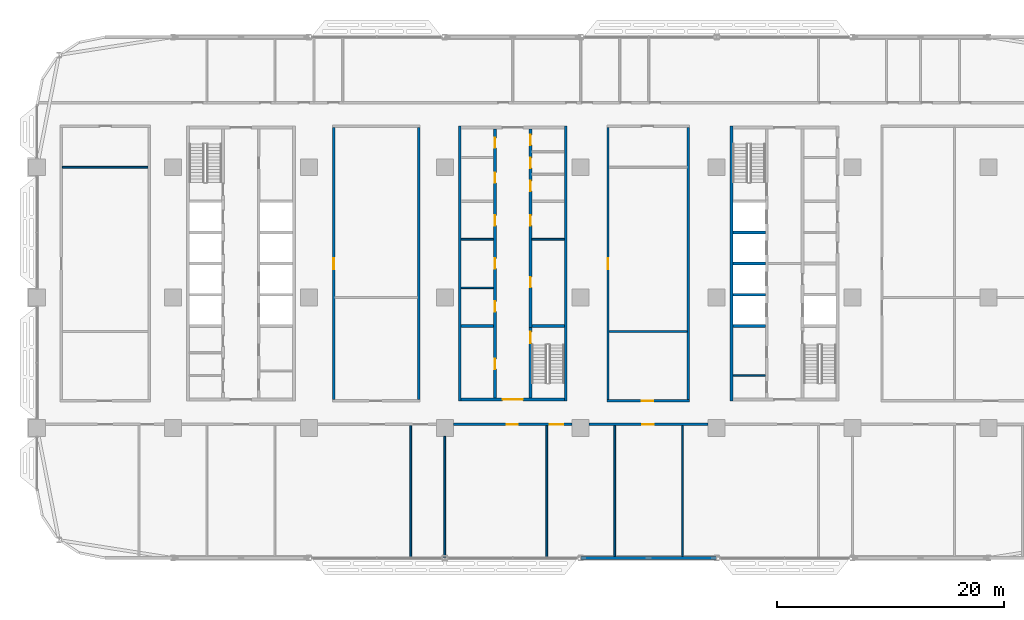
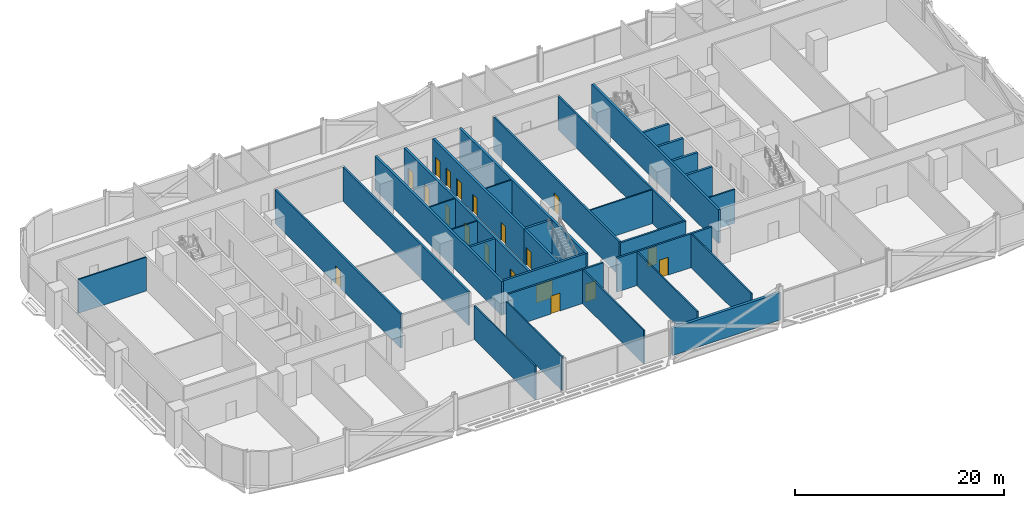
# One storey, part 13 of 29: 32 walls, 19 doors, 19 openings.
"""IFC4 building model written with IfcOpenShell, lengths in metres."""

from ifc_helpers import new_model, si_unit, direction, frame, frame_2d, origin, place, context, subcontext, project, spatial, rectangle, extrude, material, layer, layer_set, type_object, element, fill, save


model = new_model("IFC4")

# Units and contexts
model_context = context("Model", 3, precision=1e-05, world=origin(), true_north=direction((0.0, 1.0)))
body_context = subcontext(model_context, "Body", "Model", "MODEL_VIEW")
ifc_project = project(units=[si_unit("LENGTHUNIT", "METRE"), si_unit("AREAUNIT", "SQUARE_METRE"), si_unit("VOLUMEUNIT", "CUBIC_METRE"), si_unit("PLANEANGLEUNIT", "RADIAN"), si_unit("MASSUNIT", "GRAM", prefix="KILO")], contexts=[model_context])

# Site, building, storey
site_placement = place(None, origin())
site = spatial("IfcSite", under=ifc_project, at=site_placement, CompositionType="ELEMENT")
building_placement = place(site_placement, origin())
building = spatial("IfcBuilding", under=site, at=building_placement, Name="Mahtab Terrace Research Tower", CompositionType="ELEMENT")
storey_placement = place(building_placement, frame((0.0, 0.0, 71.800048828125)))
storey = spatial("IfcBuildingStorey", under=building, at=storey_placement, Name="L16", CompositionType="ELEMENT", Elevation=71.800048828125)

# Walls
ifc_material_1 = material(Name="Gypsum board partition")
ifc_layer_1 = layer(ifc_material_1, 0.14990234375)
ifc_layer_set_1 = layer_set([ifc_layer_1], Name="Core partition 150")
wall_type_1 = type_object("IfcWallType", Name="Core partition 150", PredefinedType="PARTITIONING", material=ifc_layer_set_1)
for number, where, z_axis, x_axis, name in (
    (1, (-4.550048828125, 0.85009765625, 0.0), (0.0, 0.0, 1.0), (1.0, 0.0, 0.0), "Core wall B pWL-215"),
    (2, (-4.550048828125, 5.14990234375, 0.0), (0.0, 0.0, 1.0), (1.0, 0.0, 0.0), "Core wall B pWL215"),
    (3, (1.699951171875, 5.14990234375, 0.0), (0.0, 0.0, 1.0), (1.0, 0.0, 0.0), "Core wall B pEL215"),
    (4, (19.449951171875, -6.875, 0.0), (0.0, 0.0, 1.0), (1.0, 0.0, 0.0), "Core wall C pWS-988"),
):
    element("IfcWall", number, at=place(storey_placement, frame(where, z_axis=z_axis, x_axis=x_axis)), inside=storey, type_object=wall_type_1, Name=name, PredefinedType="PARTITIONING", context=body_context, shape_type="SweptSolid", body=[
        extrude(rectangle(XDim=2.85009765625, YDim=0.14990234375, at=frame_2d((1.425048828125, 0.0))), origin(), (0.0, 0.0, 1.0), 3.9599609375),
    ])
ifc_material_2 = material(Name="Concrete C70/85", Category="concrete")
ifc_layer_2 = layer(ifc_material_2, 0.25)
ifc_layer_set_2 = layer_set([ifc_layer_2], Name="Core wall 250")
wall_type_2 = type_object("IfcWallType", Name="Core wall 250", PredefinedType="SOLIDWALL", material=ifc_layer_set_2)
for number, where, z_axis, x_axis, name in (
    (5, (-4.675048828125, 15.125, 0.0), (0.0, 0.0, 1.0), (0.0, -1.0, 0.0), "Core wall B outerW"),
    (6, (4.675048828125, -9.125, 0.0), (0.0, 0.0, 1.0), (0.0, 1.0, 0.0), "Core wall B outerE"),
):
    element("IfcWall", number, at=place(storey_placement, frame(where, z_axis=z_axis, x_axis=x_axis)), inside=storey, type_object=wall_type_2, Name=name, PredefinedType="SOLIDWALL", context=body_context, shape_type="SweptSolid", body=[
        extrude(rectangle(XDim=24.25, YDim=0.25, at=frame_2d((12.125, 0.0))), origin(), (0.0, 0.0, 1.0), 3.9599609375),
    ])

# Wall, opening, door
wall_1_placement = place(storey_placement, frame((4.550048828125, -9.0, 0.0), z_axis=(0.0, 0.0, 1.0), x_axis=(-1.0, 0.0, 0.0)))
wall_1 = element("IfcWall", 7, at=wall_1_placement, inside=storey, type_object=wall_type_2, Name="Core wall B endS", PredefinedType="SOLIDWALL", context=body_context, shape_type="SweptSolid", body=[
    extrude(rectangle(XDim=9.10009765625, YDim=0.25, at=frame_2d((4.550048828125, 0.0))), origin(), (0.0, 0.0, 1.0), 3.9599609375),
])
opening_1_placement = place(wall_1_placement, frame((3.64990234375, 0.0, 0.0)))
opening_1 = element("IfcOpeningElement", 8, at=opening_1_placement, cuts=wall_1, Name="Opening B-S1", PredefinedType="OPENING", context=body_context, shape_type="SweptSolid", body=[
    extrude(rectangle(XDim=1.800048828125, YDim=2.10009765625, at=frame_2d((0.89990234375, 1.050048828125))), frame((0.0, 0.135009765625, 0.0), z_axis=(0.0, -1.0, 0.0), x_axis=(1.0, 0.0, 0.0)), (0.0, 0.0, 1.0), 0.27001953125),
])
ifc_material_3 = material(Name="Steel fire door", Category="steel")
door_type_1 = type_object("IfcDoorType", Name="Lobby double door 1800x2100 1 HR", OperationType="DOUBLE_DOOR_SINGLE_SWING", PredefinedType="DOOR", material=ifc_material_3)
door_1_placement = place(opening_1_placement, origin())
door_1 = element("IfcDoor", 9, at=door_1_placement, inside=storey, type_object=door_type_1, Name="Core entrance door B S", OperationType="DOUBLE_DOOR_SINGLE_SWING", OverallHeight=2.10009765625, OverallWidth=1.800048828125, PredefinedType="DOOR", context=body_context, shape_type="SweptSolid", body=[
    extrude(rectangle(XDim=1.800048828125, YDim=2.10009765625, at=frame_2d((0.89990234375, 1.050048828125))), frame((0.0, 0.02490234375, 0.0), z_axis=(0.0, -1.0, 0.0), x_axis=(1.0, 0.0, 0.0)), (0.0, 0.0, 1.0), 0.050048828125),
])
fill(opening_1, door_1)

# Wall, openings, doors
wall_2_placement = place(storey_placement, frame((-1.574951171875, -8.875, 0.0), z_axis=(0.0, 0.0, 1.0), x_axis=(0.0, 1.0, 0.0)))
wall_2 = element("IfcWall", 10, at=wall_2_placement, inside=storey, type_object=wall_type_2, Name="Core wall B innerWSLN", PredefinedType="SOLIDWALL", context=body_context, shape_type="SweptSolid", body=[
    extrude(rectangle(XDim=23.75, YDim=0.25, at=frame_2d((11.875, 0.0))), origin(), (0.0, 0.0, 1.0), 3.9599609375),
])
opening_2_placement = place(wall_2_placement, frame((7.625, 0.0, 0.0)))
opening_2 = element("IfcOpeningElement", 11, at=opening_2_placement, cuts=wall_2, Name="Opening B-R1", PredefinedType="OPENING", context=body_context, shape_type="SweptSolid", body=[
    extrude(rectangle(XDim=0.89990234375, YDim=2.10009765625, at=frame_2d((0.449951171875, 1.050048828125))), frame((0.0, 0.135009765625, 0.0), z_axis=(0.0, -1.0, 0.0), x_axis=(1.0, 0.0, 0.0)), (0.0, 0.0, 1.0), 0.27001953125),
])
opening_3_placement = place(wall_2_placement, frame((11.425048828125, 0.0, 0.0)))
opening_3 = element("IfcOpeningElement", 12, at=opening_3_placement, cuts=wall_2, Name="Opening B-R2", PredefinedType="OPENING", context=body_context, shape_type="SweptSolid", body=[
    extrude(rectangle(XDim=0.89990234375, YDim=2.10009765625, at=frame_2d((0.449951171875, 1.050048828125))), frame((0.0, 0.135009765625, 0.0), z_axis=(0.0, -1.0, 0.0), x_axis=(1.0, 0.0, 0.0)), (0.0, 0.0, 1.0), 0.27001953125),
])
opening_4_placement = place(wall_2_placement, frame((15.22509765625, 0.0, 0.0)))
opening_4 = element("IfcOpeningElement", 13, at=opening_4_placement, cuts=wall_2, Name="Opening B-R3", PredefinedType="OPENING", context=body_context, shape_type="SweptSolid", body=[
    extrude(rectangle(XDim=0.89990234375, YDim=2.10009765625, at=frame_2d((0.449951171875, 1.050048828125))), frame((0.0, 0.135009765625, 0.0), z_axis=(0.0, -1.0, 0.0), x_axis=(1.0, 0.0, 0.0)), (0.0, 0.0, 1.0), 0.27001953125),
])
opening_5_placement = place(wall_2_placement, frame((2.550048828125, 0.0, 0.0)))
opening_5 = element("IfcOpeningElement", 14, at=opening_5_placement, cuts=wall_2, Name="Opening B-R6", PredefinedType="OPENING", context=body_context, shape_type="SweptSolid", body=[
    extrude(rectangle(XDim=0.89990234375, YDim=2.10009765625, at=frame_2d((0.449951171875, 1.050048828125))), frame((0.0, 0.135009765625, 0.0), z_axis=(0.0, -1.0, 0.0), x_axis=(1.0, 0.0, 0.0)), (0.0, 0.0, 1.0), 0.27001953125),
])
opening_6_placement = place(wall_2_placement, frame((19.00244140625, 0.0, 0.0)))
opening_6 = element("IfcOpeningElement", 15, at=opening_6_placement, cuts=wall_2, Name="Opening B-R7", PredefinedType="OPENING", context=body_context, shape_type="SweptSolid", body=[
    extrude(rectangle(XDim=0.89990234375, YDim=2.10009765625, at=frame_2d((0.449951171875, 1.050048828125))), frame((0.0, 0.135009765625, 0.0), z_axis=(0.0, -1.0, 0.0), x_axis=(1.0, 0.0, 0.0)), (0.0, 0.0, 1.0), 0.27001953125),
])
opening_7_placement = place(wall_2_placement, frame((22.077392578125, 0.0, 0.0)))
opening_7 = element("IfcOpeningElement", 16, at=opening_7_placement, cuts=wall_2, Name="Opening B-R8", PredefinedType="OPENING", context=body_context, shape_type="SweptSolid", body=[
    extrude(rectangle(XDim=0.89990234375, YDim=2.10009765625, at=frame_2d((0.449951171875, 1.050048828125))), frame((0.0, 0.135009765625, 0.0), z_axis=(0.0, -1.0, 0.0), x_axis=(1.0, 0.0, 0.0)), (0.0, 0.0, 1.0), 0.27001953125),
])
door_type_2 = type_object("IfcDoorType", Name="Room door 900x2100 1 HR", OperationType="NOTDEFINED", PredefinedType="DOOR", material=ifc_material_3)
door_2_placement = place(opening_2_placement, origin())
door_2 = element("IfcDoor", 17, at=door_2_placement, inside=storey, type_object=door_type_2, Name="Electrical room door", OperationType="SINGLE_SWING_LEFT", OverallHeight=2.10009765625, OverallWidth=0.89990234375, PredefinedType="DOOR", context=body_context, shape_type="SweptSolid", body=[
    extrude(rectangle(XDim=0.89990234375, YDim=2.10009765625, at=frame_2d((0.449951171875, 1.050048828125))), frame((0.0, 0.02490234375, 0.0), z_axis=(0.0, -1.0, 0.0), x_axis=(1.0, 0.0, 0.0)), (0.0, 0.0, 1.0), 0.050048828125),
])
fill(opening_2, door_2)
door_3_placement = place(opening_3_placement, origin())
door_3 = element("IfcDoor", 18, at=door_3_placement, inside=storey, type_object=door_type_2, Name="Pantry door", OperationType="SINGLE_SWING_RIGHT", OverallHeight=2.10009765625, OverallWidth=0.89990234375, PredefinedType="DOOR", context=body_context, shape_type="SweptSolid", body=[
    extrude(rectangle(XDim=0.89990234375, YDim=2.10009765625, at=frame_2d((0.449951171875, 1.050048828125))), frame((0.0, 0.02490234375, 0.0), z_axis=(0.0, -1.0, 0.0), x_axis=(1.0, 0.0, 0.0)), (0.0, 0.0, 1.0), 0.050048828125),
])
fill(opening_3, door_3)
door_4_placement = place(opening_4_placement, origin())
door_4 = element("IfcDoor", 19, at=door_4_placement, inside=storey, type_object=door_type_2, Name="Housekeeping store door", OperationType="SINGLE_SWING_LEFT", OverallHeight=2.10009765625, OverallWidth=0.89990234375, PredefinedType="DOOR", context=body_context, shape_type="SweptSolid", body=[
    extrude(rectangle(XDim=0.89990234375, YDim=2.10009765625, at=frame_2d((0.449951171875, 1.050048828125))), frame((0.0, 0.02490234375, 0.0), z_axis=(0.0, -1.0, 0.0), x_axis=(1.0, 0.0, 0.0)), (0.0, 0.0, 1.0), 0.050048828125),
])
fill(opening_4, door_4)
door_5_placement = place(opening_5_placement, origin())
door_5 = element("IfcDoor", 20, at=door_5_placement, inside=storey, type_object=door_type_2, Name="Gas cylinder store door", OperationType="SINGLE_SWING_RIGHT", OverallHeight=2.10009765625, OverallWidth=0.89990234375, PredefinedType="DOOR", context=body_context, shape_type="SweptSolid", body=[
    extrude(rectangle(XDim=0.89990234375, YDim=2.10009765625, at=frame_2d((0.449951171875, 1.050048828125))), frame((0.0, 0.02490234375, 0.0), z_axis=(0.0, -1.0, 0.0), x_axis=(1.0, 0.0, 0.0)), (0.0, 0.0, 1.0), 0.050048828125),
])
fill(opening_5, door_5)
door_6_placement = place(opening_6_placement, origin())
door_6 = element("IfcDoor", 21, at=door_6_placement, inside=storey, type_object=door_type_2, Name="Pantry door", OperationType="SINGLE_SWING_LEFT", OverallHeight=2.10009765625, OverallWidth=0.89990234375, PredefinedType="DOOR", context=body_context, shape_type="SweptSolid", body=[
    extrude(rectangle(XDim=0.89990234375, YDim=2.10009765625, at=frame_2d((0.449951171875, 1.050048828125))), frame((0.0, 0.02490234375, 0.0), z_axis=(0.0, -1.0, 0.0), x_axis=(1.0, 0.0, 0.0)), (0.0, 0.0, 1.0), 0.050048828125),
])
fill(opening_6, door_6)
door_7_placement = place(opening_7_placement, origin())
door_7 = element("IfcDoor", 22, at=door_7_placement, inside=storey, type_object=door_type_2, Name="Linen store door", OperationType="SINGLE_SWING_RIGHT", OverallHeight=2.10009765625, OverallWidth=0.89990234375, PredefinedType="DOOR", context=body_context, shape_type="SweptSolid", body=[
    extrude(rectangle(XDim=0.89990234375, YDim=2.10009765625, at=frame_2d((0.449951171875, 1.050048828125))), frame((0.0, 0.02490234375, 0.0), z_axis=(0.0, -1.0, 0.0), x_axis=(1.0, 0.0, 0.0)), (0.0, 0.0, 1.0), 0.050048828125),
])
fill(opening_7, door_7)

# Wall, opening, door
wall_3_placement = place(storey_placement, frame((1.574951171875, -8.875, 0.0), z_axis=(0.0, 0.0, 1.0), x_axis=(0.0, 1.0, 0.0)))
wall_3 = element("IfcWall", 23, at=wall_3_placement, inside=storey, type_object=wall_type_2, Name="Core wall B innerES", PredefinedType="SOLIDWALL", context=body_context, shape_type="SweptSolid", body=[
    extrude(rectangle(XDim=6.25, YDim=0.25, at=frame_2d((3.125, 0.0))), origin(), (0.0, 0.0, 1.0), 3.9599609375),
])
opening_8_placement = place(wall_3_placement, frame((4.85009765625, 0.0, 0.0)))
opening_8 = element("IfcOpeningElement", 24, at=opening_8_placement, cuts=wall_3, Name="Opening B-ST2", PredefinedType="OPENING", context=body_context, shape_type="SweptSolid", body=[
    extrude(rectangle(XDim=1.0, YDim=2.10009765625, at=frame_2d((0.5, 1.050048828125))), frame((0.0, 0.135009765625, 0.0), z_axis=(0.0, -1.0, 0.0), x_axis=(1.0, 0.0, 0.0)), (0.0, 0.0, 1.0), 0.27001953125),
])
door_type_3 = type_object("IfcDoorType", Name="Stair door 1000x2100 1.5 HR", OperationType="NOTDEFINED", PredefinedType="DOOR", material=ifc_material_3)
door_8_placement = place(opening_8_placement, origin())
door_8 = element("IfcDoor", 25, at=door_8_placement, inside=storey, type_object=door_type_3, Name="Stair door ST2 L16", OperationType="SINGLE_SWING_RIGHT", OverallHeight=2.10009765625, OverallWidth=1.0, PredefinedType="DOOR", context=body_context, shape_type="SweptSolid", body=[
    extrude(rectangle(XDim=1.0, YDim=2.10009765625, at=frame_2d((0.5, 1.050048828125))), frame((0.0, 0.02490234375, 0.0), z_axis=(0.0, -1.0, 0.0), x_axis=(1.0, 0.0, 0.0)), (0.0, 0.0, 1.0), 0.050048828125),
])
fill(opening_8, door_8)

# Wall, openings, doors
wall_4_placement = place(storey_placement, frame((1.574951171875, 14.875, 0.0), z_axis=(0.0, 0.0, 1.0), x_axis=(0.0, -1.0, 0.0)))
wall_4 = element("IfcWall", 26, at=wall_4_placement, inside=storey, type_object=wall_type_2, Name="Core wall B innerELN", PredefinedType="SOLIDWALL", context=body_context, shape_type="SweptSolid", body=[
    extrude(rectangle(XDim=17.5, YDim=0.25, at=frame_2d((8.75, 0.0))), origin(), (0.0, 0.0, 1.0), 3.9599609375),
])
opening_9_placement = place(wall_4_placement, frame((13.074951171875, 0.0, 0.0)))
opening_9 = element("IfcOpeningElement", 27, at=opening_9_placement, cuts=wall_4, Name="Opening B-R4", PredefinedType="OPENING", context=body_context, shape_type="SweptSolid", body=[
    extrude(rectangle(XDim=0.89990234375, YDim=2.10009765625, at=frame_2d((0.449951171875, 1.050048828125))), frame((0.0, 0.135009765625, 0.0), z_axis=(0.0, -1.0, 0.0), x_axis=(1.0, 0.0, 0.0)), (0.0, 0.0, 1.0), 0.27001953125),
])
opening_10_placement = place(wall_4_placement, frame((7.625, 0.0, 0.0)))
opening_10 = element("IfcOpeningElement", 28, at=opening_10_placement, cuts=wall_4, Name="Opening B-R5", PredefinedType="OPENING", context=body_context, shape_type="SweptSolid", body=[
    extrude(rectangle(XDim=0.89990234375, YDim=2.10009765625, at=frame_2d((0.449951171875, 1.050048828125))), frame((0.0, 0.135009765625, 0.0), z_axis=(0.0, -1.0, 0.0), x_axis=(1.0, 0.0, 0.0)), (0.0, 0.0, 1.0), 0.27001953125),
])
opening_11_placement = place(wall_4_placement, frame((4.58740234375, 0.0, 0.0)))
opening_11 = element("IfcOpeningElement", 29, at=opening_11_placement, cuts=wall_4, Name="Opening B-R9", PredefinedType="OPENING", context=body_context, shape_type="SweptSolid", body=[
    extrude(rectangle(XDim=0.89990234375, YDim=2.10009765625, at=frame_2d((0.449951171875, 1.050048828125))), frame((0.0, 0.135009765625, 0.0), z_axis=(0.0, -1.0, 0.0), x_axis=(1.0, 0.0, 0.0)), (0.0, 0.0, 1.0), 0.27001953125),
])
opening_12_placement = place(wall_4_placement, frame((2.550048828125, 0.0, 0.0)))
opening_12 = element("IfcOpeningElement", 30, at=opening_12_placement, cuts=wall_4, Name="Opening B-R10", PredefinedType="OPENING", context=body_context, shape_type="SweptSolid", body=[
    extrude(rectangle(XDim=0.89990234375, YDim=2.10009765625, at=frame_2d((0.449951171875, 1.050048828125))), frame((0.0, 0.135009765625, 0.0), z_axis=(0.0, -1.0, 0.0), x_axis=(1.0, 0.0, 0.0)), (0.0, 0.0, 1.0), 0.27001953125),
])
opening_13_placement = place(wall_4_placement, frame((0.512451171875, 0.0, 0.0)))
opening_13 = element("IfcOpeningElement", 31, at=opening_13_placement, cuts=wall_4, Name="Opening B-R11", PredefinedType="OPENING", context=body_context, shape_type="SweptSolid", body=[
    extrude(rectangle(XDim=0.89990234375, YDim=2.10009765625, at=frame_2d((0.449951171875, 1.050048828125))), frame((0.0, 0.135009765625, 0.0), z_axis=(0.0, -1.0, 0.0), x_axis=(1.0, 0.0, 0.0)), (0.0, 0.0, 1.0), 0.27001953125),
])
door_9_placement = place(opening_9_placement, origin())
door_9 = element("IfcDoor", 32, at=door_9_placement, inside=storey, type_object=door_type_2, Name="Chemical store door", OperationType="SINGLE_SWING_RIGHT", OverallHeight=2.10009765625, OverallWidth=0.89990234375, PredefinedType="DOOR", context=body_context, shape_type="SweptSolid", body=[
    extrude(rectangle(XDim=0.89990234375, YDim=2.10009765625, at=frame_2d((0.449951171875, 1.050048828125))), frame((0.0, 0.02490234375, 0.0), z_axis=(0.0, -1.0, 0.0), x_axis=(1.0, 0.0, 0.0)), (0.0, 0.0, 1.0), 0.050048828125),
])
fill(opening_9, door_9)
door_10_placement = place(opening_10_placement, origin())
door_10 = element("IfcDoor", 33, at=door_10_placement, inside=storey, type_object=door_type_2, Name="Waste room door", OperationType="SINGLE_SWING_LEFT", OverallHeight=2.10009765625, OverallWidth=0.89990234375, PredefinedType="DOOR", context=body_context, shape_type="SweptSolid", body=[
    extrude(rectangle(XDim=0.89990234375, YDim=2.10009765625, at=frame_2d((0.449951171875, 1.050048828125))), frame((0.0, 0.02490234375, 0.0), z_axis=(0.0, -1.0, 0.0), x_axis=(1.0, 0.0, 0.0)), (0.0, 0.0, 1.0), 0.050048828125),
])
fill(opening_10, door_10)
door_11_placement = place(opening_11_placement, origin())
door_11 = element("IfcDoor", 34, at=door_11_placement, inside=storey, type_object=door_type_2, Name="Male WC door", OperationType="SINGLE_SWING_LEFT", OverallHeight=2.10009765625, OverallWidth=0.89990234375, PredefinedType="DOOR", context=body_context, shape_type="SweptSolid", body=[
    extrude(rectangle(XDim=0.89990234375, YDim=2.10009765625, at=frame_2d((0.449951171875, 1.050048828125))), frame((0.0, 0.02490234375, 0.0), z_axis=(0.0, -1.0, 0.0), x_axis=(1.0, 0.0, 0.0)), (0.0, 0.0, 1.0), 0.050048828125),
])
fill(opening_11, door_11)
door_12_placement = place(opening_12_placement, origin())
door_12 = element("IfcDoor", 35, at=door_12_placement, inside=storey, type_object=door_type_2, Name="Female WC door", OperationType="SINGLE_SWING_RIGHT", OverallHeight=2.10009765625, OverallWidth=0.89990234375, PredefinedType="DOOR", context=body_context, shape_type="SweptSolid", body=[
    extrude(rectangle(XDim=0.89990234375, YDim=2.10009765625, at=frame_2d((0.449951171875, 1.050048828125))), frame((0.0, 0.02490234375, 0.0), z_axis=(0.0, -1.0, 0.0), x_axis=(1.0, 0.0, 0.0)), (0.0, 0.0, 1.0), 0.050048828125),
])
fill(opening_12, door_12)
door_13_placement = place(opening_13_placement, origin())
door_13 = element("IfcDoor", 36, at=door_13_placement, inside=storey, type_object=door_type_2, Name="Accessible WC door", OperationType="SINGLE_SWING_LEFT", OverallHeight=2.10009765625, OverallWidth=0.89990234375, PredefinedType="DOOR", context=body_context, shape_type="SweptSolid", body=[
    extrude(rectangle(XDim=0.89990234375, YDim=2.10009765625, at=frame_2d((0.449951171875, 1.050048828125))), frame((0.0, 0.02490234375, 0.0), z_axis=(0.0, -1.0, 0.0), x_axis=(1.0, 0.0, 0.0)), (0.0, 0.0, 1.0), 0.050048828125),
])
fill(opening_13, door_13)

# Walls
for number, where, z_axis, x_axis, name in (
    (37, (-4.550048828125, -2.5, 0.0), (0.0, 0.0, 1.0), (1.0, 0.0, 0.0), "Core wall B divW0"),
    (38, (1.699951171875, -2.5, 0.0), (0.0, 0.0, 1.0), (1.0, 0.0, 0.0), "Core wall B divE0"),
):
    element("IfcWall", number, at=place(storey_placement, frame(where, z_axis=z_axis, x_axis=x_axis)), inside=storey, type_object=wall_type_2, Name=name, PredefinedType="SOLIDWALL", context=body_context, shape_type="SweptSolid", body=[
        extrude(rectangle(XDim=2.85009765625, YDim=0.25, at=frame_2d((1.425048828125, 0.0))), origin(), (0.0, 0.0, 1.0), 3.9599609375),
    ])
wall_5_placement = place(storey_placement, frame((19.324951171875, 15.125, 0.0), z_axis=(0.0, 0.0, 1.0), x_axis=(0.0, -1.0, 0.0)))
element("IfcWall", 39, at=wall_5_placement, inside=storey, type_object=wall_type_2, Name="Core wall C outerW", PredefinedType="SOLIDWALL", context=body_context, shape_type="SweptSolid", body=[
    extrude(rectangle(XDim=24.25, YDim=0.25, at=frame_2d((12.125, 0.0))), origin(), (0.0, 0.0, 1.0), 3.9599609375),
])
for number, where, z_axis, x_axis, name in (
    (40, (19.449951171875, -2.5, 0.0), (0.0, 0.0, 1.0), (1.0, 0.0, 0.0), "Core wall C divW0"),
    (41, (19.449951171875, 0.25, 0.0), (0.0, 0.0, 1.0), (1.0, 0.0, 0.0), "Core wall C divW1"),
    (42, (19.449951171875, 3.0, 0.0), (0.0, 0.0, 1.0), (1.0, 0.0, 0.0), "Core wall C divW2"),
    (43, (19.449951171875, 5.75, 0.0), (0.0, 0.0, 1.0), (1.0, 0.0, 0.0), "Core wall C divW3"),
):
    element("IfcWall", number, at=place(storey_placement, frame(where, z_axis=z_axis, x_axis=x_axis)), inside=storey, type_object=wall_type_2, Name=name, PredefinedType="SOLIDWALL", context=body_context, shape_type="SweptSolid", body=[
        extrude(rectangle(XDim=2.85009765625, YDim=0.25, at=frame_2d((1.425048828125, 0.0))), origin(), (0.0, 0.0, 1.0), 3.9599609375),
    ])
ifc_material_4 = material(Name="Black aluminium cladding panel", Category="aluminium")
ifc_layer_3 = layer(ifc_material_4, 0.300048828125)
ifc_layer_set_3 = layer_set([ifc_layer_3], Name="Opaque facade wall 300")
wall_type_3 = type_object("IfcWallType", Name="Opaque facade wall 300", PredefinedType="NOTDEFINED", material=ifc_layer_set_3)
wall_6_placement = place(storey_placement, frame((6.02392578125, -23.0, 0.0), z_axis=(0.0, 0.0, 1.0), x_axis=(1.0, 0.0, 0.0)))
element("IfcWall", 44, at=wall_6_placement, inside=storey, type_object=wall_type_3, Name="Opaque facade wall L16 S27", PredefinedType="NOTDEFINED", context=body_context, shape_type="SweptSolid", body=[
    extrude(rectangle(XDim=11.9521484375, YDim=0.300048828125, at=frame_2d((5.97607421875, 0.0))), origin(), (0.0, 0.0, 1.0), 3.203125),
])

# Wall, openings, doors
ifc_material_5 = material(Name="Gypsum board corridor wall on steel studs", Category="steel")
ifc_layer_4 = layer(ifc_material_5, 0.199951171875)
ifc_layer_set_4 = layer_set([ifc_layer_4], Name="WALL CORRIDOR 200")
wall_type_4 = type_object("IfcWallType", Name="WALL CORRIDOR 200", PredefinedType="PARTITIONING", material=ifc_layer_set_4)
wall_7_placement = place(storey_placement, frame((-5.25, -11.199951171875, 0.0), z_axis=(0.0, 0.0, 1.0), x_axis=(1.0, 0.0, 0.0)))
wall_7 = element("IfcWall", 45, at=wall_7_placement, inside=storey, type_object=wall_type_4, Name="L16-W004", PredefinedType="PARTITIONING", context=body_context, shape_type="SweptSolid", body=[
    extrude(rectangle(XDim=10.5, YDim=0.199951171875, at=frame_2d((5.25, 0.0))), origin(), (0.0, 0.0, 1.0), 3.9599609375),
])
opening_14_placement = place(wall_7_placement, frame((4.699951171875, 0.0, 0.0)))
opening_14 = element("IfcOpeningElement", 46, at=opening_14_placement, cuts=wall_7, Name="Opening L16-106", PredefinedType="OPENING", context=body_context, shape_type="SweptSolid", body=[
    extrude(rectangle(XDim=1.0, YDim=2.10009765625, at=frame_2d((0.5, 1.050048828125))), frame((0.0, 0.10986328125, 0.0), z_axis=(0.0, -1.0, 0.0), x_axis=(1.0, 0.0, 0.0)), (0.0, 0.0, 1.0), 0.219970703125),
])
opening_15_placement = place(wall_7_placement, frame((8.5, 0.0, 0.0)))
opening_15 = element("IfcOpeningElement", 47, at=opening_15_placement, cuts=wall_7, Name="Opening L16-107", PredefinedType="OPENING", context=body_context, shape_type="SweptSolid", body=[
    extrude(rectangle(XDim=1.199951171875, YDim=2.10009765625, at=frame_2d((0.60009765625, 1.050048828125))), frame((0.0, 0.10986328125, 0.0), z_axis=(0.0, -1.0, 0.0), x_axis=(1.0, 0.0, 0.0)), (0.0, 0.0, 1.0), 0.219970703125),
])
ifc_material_6 = material(Name="Timber door leaf in steel frame", Category="steel")
door_type_4 = type_object("IfcDoorType", Name="DOOR 1000X2100 FD30S", OperationType="SINGLE_SWING_LEFT", PredefinedType="DOOR", material=ifc_material_6)
door_14_placement = place(opening_14_placement, origin())
door_14 = element("IfcDoor", 48, at=door_14_placement, inside=storey, type_object=door_type_4, Name="Door L16-106", OperationType="SINGLE_SWING_RIGHT", OverallHeight=2.10009765625, OverallWidth=1.0, PredefinedType="DOOR", context=body_context, shape_type="SweptSolid", body=[
    extrude(rectangle(XDim=1.0, YDim=2.10009765625, at=frame_2d((0.5, 1.050048828125))), frame((0.0, 0.02490234375, 0.0), z_axis=(0.0, -1.0, 0.0), x_axis=(1.0, 0.0, 0.0)), (0.0, 0.0, 1.0), 0.050048828125),
])
fill(opening_14, door_14)
door_type_5 = type_object("IfcDoorType", Name="DOOR 1200X2100 FD30S", OperationType="SINGLE_SWING_LEFT", PredefinedType="DOOR", material=ifc_material_6)
door_15_placement = place(opening_15_placement, origin())
door_15 = element("IfcDoor", 49, at=door_15_placement, inside=storey, type_object=door_type_5, Name="Door L16-107", OperationType="SINGLE_SWING_LEFT", OverallHeight=2.10009765625, OverallWidth=1.199951171875, PredefinedType="DOOR", context=body_context, shape_type="SweptSolid", body=[
    extrude(rectangle(XDim=1.199951171875, YDim=2.10009765625, at=frame_2d((0.60009765625, 1.050048828125))), frame((0.0, 0.02490234375, 0.0), z_axis=(0.0, -1.0, 0.0), x_axis=(1.0, 0.0, 0.0)), (0.0, 0.0, 1.0), 0.050048828125),
])
fill(opening_15, door_15)

# Wall, opening, door
wall_8_placement = place(storey_placement, frame((6.75, -11.199951171875, 0.0), z_axis=(0.0, 0.0, 1.0), x_axis=(1.0, 0.0, 0.0)))
wall_8 = element("IfcWall", 50, at=wall_8_placement, inside=storey, type_object=wall_type_4, Name="L16-W005", PredefinedType="PARTITIONING", context=body_context, shape_type="SweptSolid", body=[
    extrude(rectangle(XDim=10.5, YDim=0.199951171875, at=frame_2d((5.25, 0.0))), origin(), (0.0, 0.0, 1.0), 3.9599609375),
])
opening_16_placement = place(wall_8_placement, frame((4.699951171875, 0.0, 0.0)))
opening_16 = element("IfcOpeningElement", 51, at=opening_16_placement, cuts=wall_8, Name="Opening L16-108", PredefinedType="OPENING", context=body_context, shape_type="SweptSolid", body=[
    extrude(rectangle(XDim=1.0, YDim=2.10009765625, at=frame_2d((0.5, 1.050048828125))), frame((0.0, 0.10986328125, 0.0), z_axis=(0.0, -1.0, 0.0), x_axis=(1.0, 0.0, 0.0)), (0.0, 0.0, 1.0), 0.219970703125),
])
door_16_placement = place(opening_16_placement, origin())
door_16 = element("IfcDoor", 52, at=door_16_placement, inside=storey, type_object=door_type_4, Name="Door L16-108", OperationType="SINGLE_SWING_RIGHT", OverallHeight=2.10009765625, OverallWidth=1.0, PredefinedType="DOOR", context=body_context, shape_type="SweptSolid", body=[
    extrude(rectangle(XDim=1.0, YDim=2.10009765625, at=frame_2d((0.5, 1.050048828125))), frame((0.0, 0.02490234375, 0.0), z_axis=(0.0, -1.0, 0.0), x_axis=(1.0, 0.0, 0.0)), (0.0, 0.0, 1.0), 0.050048828125),
])
fill(opening_16, door_16)

wall_9_placement = place(storey_placement, frame((8.300048828125, -9.125, 0.0), z_axis=(0.0, 0.0, 1.0), x_axis=(1.0, 0.0, 0.0)))
wall_9 = element("IfcWall", 53, at=wall_9_placement, inside=storey, type_object=wall_type_4, Name="L16-W011", PredefinedType="PARTITIONING", context=body_context, shape_type="SweptSolid", body=[
    extrude(rectangle(XDim=7.300048828125, YDim=0.199951171875, at=frame_2d((3.64990234375, 0.0))), origin(), (0.0, 0.0, 1.0), 3.9599609375),
])
opening_17_placement = place(wall_9_placement, frame((3.10009765625, 0.0, 0.0)))
opening_17 = element("IfcOpeningElement", 54, at=opening_17_placement, cuts=wall_9, Name="Opening L16-115", PredefinedType="OPENING", context=body_context, shape_type="SweptSolid", body=[
    extrude(rectangle(XDim=1.0, YDim=2.10009765625, at=frame_2d((0.5, 1.050048828125))), frame((0.0, 0.10986328125, 0.0), z_axis=(0.0, -1.0, 0.0), x_axis=(1.0, 0.0, 0.0)), (0.0, 0.0, 1.0), 0.219970703125),
])
door_17_placement = place(opening_17_placement, origin())
door_17 = element("IfcDoor", 55, at=door_17_placement, inside=storey, type_object=door_type_4, Name="Door L16-115", OperationType="SINGLE_SWING_LEFT", OverallHeight=2.10009765625, OverallWidth=1.0, PredefinedType="DOOR", context=body_context, shape_type="SweptSolid", body=[
    extrude(rectangle(XDim=1.0, YDim=2.10009765625, at=frame_2d((0.5, 1.050048828125))), frame((0.0, 0.02490234375, 0.0), z_axis=(0.0, -1.0, 0.0), x_axis=(1.0, 0.0, 0.0)), (0.0, 0.0, 1.0), 0.050048828125),
])
fill(opening_17, door_17)

wall_10_placement = place(storey_placement, frame((-15.800048828125, -9.02490234375, 0.0), z_axis=(0.0, 0.0, 1.0), x_axis=(0.0, 1.0, 0.0)))
wall_10 = element("IfcWall", 56, at=wall_10_placement, inside=storey, type_object=wall_type_4, Name="L16-W033", PredefinedType="PARTITIONING", context=body_context, shape_type="SweptSolid", body=[
    extrude(rectangle(XDim=24.0498046875, YDim=0.199951171875, at=frame_2d((12.02490234375, 0.0))), origin(), (0.0, 0.0, 1.0), 3.9599609375),
])
opening_18_placement = place(wall_10_placement, frame((11.5, 0.0, 0.0)))
opening_18 = element("IfcOpeningElement", 57, at=opening_18_placement, cuts=wall_10, Name="Opening L16-121", PredefinedType="OPENING", context=body_context, shape_type="SweptSolid", body=[
    extrude(rectangle(XDim=1.0, YDim=2.10009765625, at=frame_2d((0.5, 1.050048828125))), frame((0.0, 0.10986328125, 0.0), z_axis=(0.0, -1.0, 0.0), x_axis=(1.0, 0.0, 0.0)), (0.0, 0.0, 1.0), 0.219970703125),
])
door_18_placement = place(opening_18_placement, origin())
door_18 = element("IfcDoor", 58, at=door_18_placement, inside=storey, type_object=door_type_4, Name="Door L16-121", OperationType="SINGLE_SWING_RIGHT", OverallHeight=2.10009765625, OverallWidth=1.0, PredefinedType="DOOR", context=body_context, shape_type="SweptSolid", body=[
    extrude(rectangle(XDim=1.0, YDim=2.10009765625, at=frame_2d((0.5, 1.050048828125))), frame((0.0, 0.02490234375, 0.0), z_axis=(0.0, -1.0, 0.0), x_axis=(1.0, 0.0, 0.0)), (0.0, 0.0, 1.0), 0.050048828125),
])
fill(opening_18, door_18)

# Wall
wall_11_placement = place(storey_placement, frame((-8.300048828125, -9.02490234375, 0.0), z_axis=(0.0, 0.0, 1.0), x_axis=(0.0, 1.0, 0.0)))
element("IfcWall", 59, at=wall_11_placement, inside=storey, type_object=wall_type_4, Name="L16-W036", PredefinedType="PARTITIONING", context=body_context, shape_type="SweptSolid", body=[
    extrude(rectangle(XDim=24.0498046875, YDim=0.199951171875, at=frame_2d((12.02490234375, 0.0))), origin(), (0.0, 0.0, 1.0), 3.9599609375),
])

# Wall, opening, door
wall_12_placement = place(storey_placement, frame((8.39990234375, -9.02490234375, 0.0), z_axis=(0.0, 0.0, 1.0), x_axis=(0.0, 1.0, 0.0)))
wall_12 = element("IfcWall", 60, at=wall_12_placement, inside=storey, type_object=wall_type_4, Name="L16-W041", PredefinedType="PARTITIONING", context=body_context, shape_type="SweptSolid", body=[
    extrude(rectangle(XDim=24.0498046875, YDim=0.199951171875, at=frame_2d((12.02490234375, 0.0))), origin(), (0.0, 0.0, 1.0), 3.9599609375),
])
opening_19_placement = place(wall_12_placement, frame((11.5, 0.0, 0.0)))
opening_19 = element("IfcOpeningElement", 61, at=opening_19_placement, cuts=wall_12, Name="Opening L16-120", PredefinedType="OPENING", context=body_context, shape_type="SweptSolid", body=[
    extrude(rectangle(XDim=1.0, YDim=2.10009765625, at=frame_2d((0.5, 1.050048828125))), frame((0.0, 0.10986328125, 0.0), z_axis=(0.0, -1.0, 0.0), x_axis=(1.0, 0.0, 0.0)), (0.0, 0.0, 1.0), 0.219970703125),
])
door_19_placement = place(opening_19_placement, origin())
door_19 = element("IfcDoor", 62, at=door_19_placement, inside=storey, type_object=door_type_4, Name="Door L16-120", OperationType="SINGLE_SWING_RIGHT", OverallHeight=2.10009765625, OverallWidth=1.0, PredefinedType="DOOR", context=body_context, shape_type="SweptSolid", body=[
    extrude(rectangle(XDim=1.0, YDim=2.10009765625, at=frame_2d((0.5, 1.050048828125))), frame((0.0, 0.02490234375, 0.0), z_axis=(0.0, -1.0, 0.0), x_axis=(1.0, 0.0, 0.0)), (0.0, 0.0, 1.0), 0.050048828125),
])
fill(opening_19, door_19)

# Walls
wall_13_placement = place(storey_placement, frame((15.5, -9.02490234375, 0.0), z_axis=(0.0, 0.0, 1.0), x_axis=(0.0, 1.0, 0.0)))
element("IfcWall", 63, at=wall_13_placement, inside=storey, type_object=wall_type_4, Name="L16-W046", PredefinedType="PARTITIONING", context=body_context, shape_type="SweptSolid", body=[
    extrude(rectangle(XDim=24.0498046875, YDim=0.199951171875, at=frame_2d((12.02490234375, 0.0))), origin(), (0.0, 0.0, 1.0), 3.9599609375),
])
ifc_material_7 = material(Name="Gypsum board partition on steel studs", Category="steel")
ifc_layer_5 = layer(ifc_material_7, 0.14990234375)
ifc_layer_set_5 = layer_set([ifc_layer_5], Name="WALL PARTITION 150")
wall_type_5 = type_object("IfcWallType", Name="WALL PARTITION 150", PredefinedType="PARTITIONING", material=ifc_layer_set_5)
wall_14_placement = place(storey_placement, frame((8.5, -3.0, 0.0), z_axis=(0.0, 0.0, 1.0), x_axis=(1.0, 0.0, 0.0)))
element("IfcWall", 64, at=wall_14_placement, inside=storey, type_object=wall_type_5, Name="L16-W014", PredefinedType="PARTITIONING", context=body_context, shape_type="SweptSolid", body=[
    extrude(rectangle(XDim=6.89990234375, YDim=0.14990234375, at=frame_2d((3.449951171875, 0.0))), origin(), (0.0, 0.0, 1.0), 3.9599609375),
])
wall_15_placement = place(storey_placement, frame((-39.75, 11.5, 0.0), z_axis=(0.0, 0.0, 1.0), x_axis=(1.0, 0.0, 0.0)))
element("IfcWall", 65, at=wall_15_placement, inside=storey, type_object=wall_type_5, Name="L16-W018", PredefinedType="PARTITIONING", context=body_context, shape_type="SweptSolid", body=[
    extrude(rectangle(XDim=7.550048828125, YDim=0.14990234375, at=frame_2d((3.77490234375, 0.0))), origin(), (0.0, 0.0, 1.0), 3.9599609375),
])
wall_16_placement = place(storey_placement, frame((-9.0, -22.97509765625, 0.0), z_axis=(0.0, 0.0, 1.0), x_axis=(0.0, 1.0, 0.0)))
element("IfcWall", 66, at=wall_16_placement, inside=storey, type_object=wall_type_5, Name="L16-W035", PredefinedType="PARTITIONING", context=body_context, shape_type="SweptSolid", body=[
    extrude(rectangle(XDim=11.675048828125, YDim=0.14990234375, at=frame_2d((5.83740234375, 0.0))), origin(), (0.0, 0.0, 1.0), 3.9599609375),
])
wall_17_placement = place(storey_placement, frame((-6.0, -22.97509765625, 0.0), z_axis=(0.0, 0.0, 1.0), x_axis=(0.0, 1.0, 0.0)))
element("IfcWall", 67, at=wall_17_placement, inside=storey, type_object=wall_type_5, Name="L16-W037", PredefinedType="PARTITIONING", context=body_context, shape_type="SweptSolid", body=[
    extrude(rectangle(XDim=10.72509765625, YDim=0.14990234375, at=frame_2d((5.362548828125, 0.0))), origin(), (0.0, 0.0, 1.0), 3.9599609375),
])
wall_18_placement = place(storey_placement, frame((3.0, -22.97509765625, 0.0), z_axis=(0.0, 0.0, 1.0), x_axis=(0.0, 1.0, 0.0)))
element("IfcWall", 68, at=wall_18_placement, inside=storey, type_object=wall_type_5, Name="L16-W039", PredefinedType="PARTITIONING", context=body_context, shape_type="SweptSolid", body=[
    extrude(rectangle(XDim=11.675048828125, YDim=0.14990234375, at=frame_2d((5.83740234375, 0.0))), origin(), (0.0, 0.0, 1.0), 3.9599609375),
])
for number, where, z_axis, x_axis, name in (
    (69, (9.0, -22.85009765625, 0.0), (0.0, 0.0, 1.0), (0.0, 1.0, 0.0), "L16-W042"),
    (70, (15.0, -22.85009765625, 0.0), (0.0, 0.0, 1.0), (0.0, 1.0, 0.0), "L16-W045"),
):
    element("IfcWall", number, at=place(storey_placement, frame(where, z_axis=z_axis, x_axis=x_axis)), inside=storey, type_object=wall_type_5, Name=name, PredefinedType="PARTITIONING", context=body_context, shape_type="SweptSolid", body=[
        extrude(rectangle(XDim=11.550048828125, YDim=0.14990234375, at=frame_2d((5.77490234375, 0.0))), origin(), (0.0, 0.0, 1.0), 3.9599609375),
    ])

save(model, "model.ifc")
